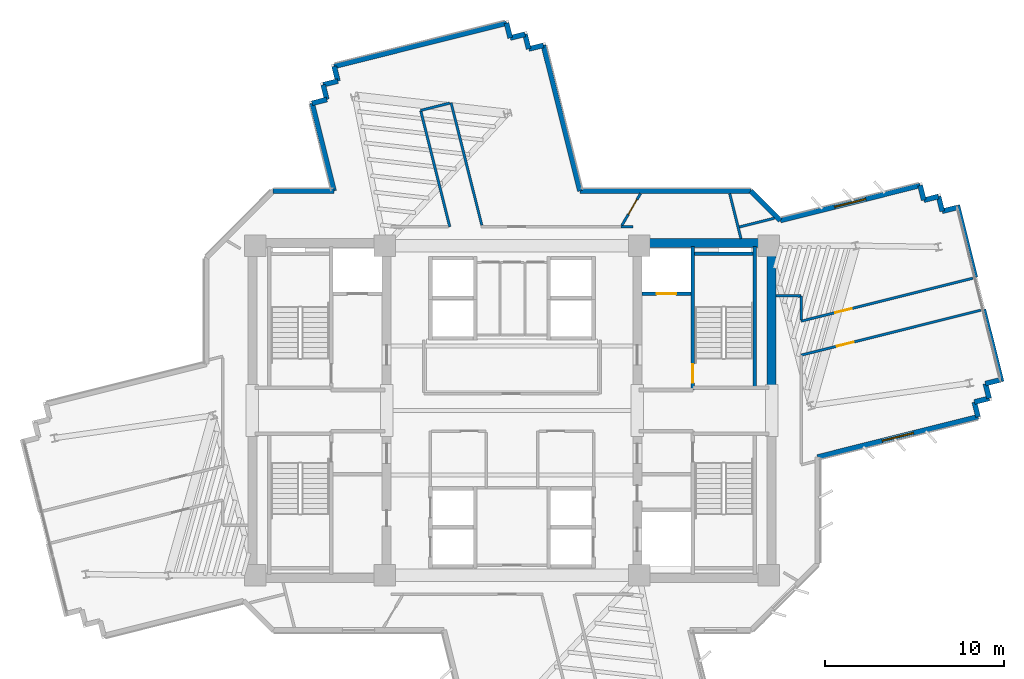
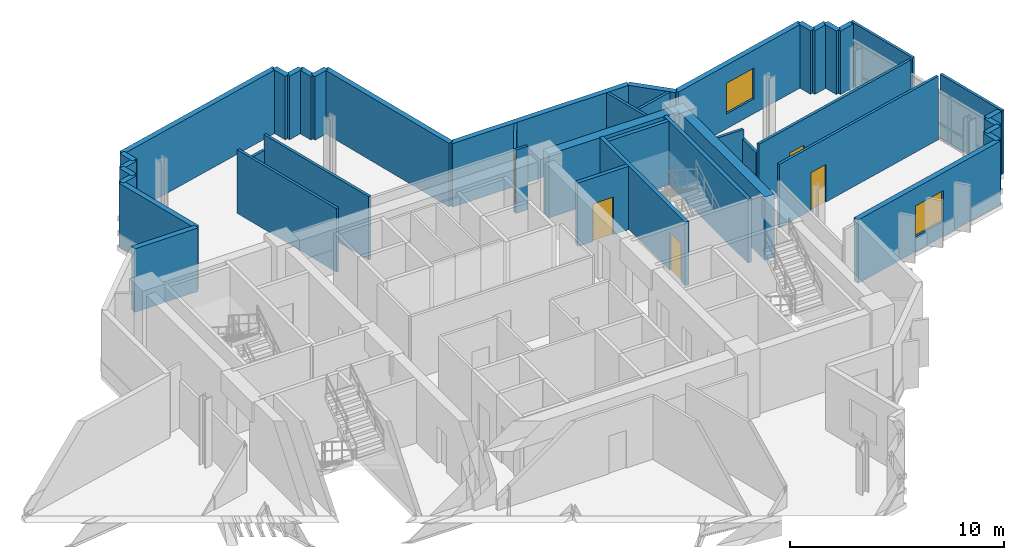
# One storey, part 9 of 13: 43 walls, 5 doors, 2 windows, 7 openings.
"""IFC4 building model written with IfcOpenShell, lengths in metres."""

from ifc_helpers import new_model, si_unit, direction, frame, frame_2d, origin, place, context, subcontext, project, spatial, rectangle, extrude, source, transform, mapped, material, layer, layer_set, type_object, element, fill, save


model = new_model("IFC4")

# Units and contexts
model_context = context("Model", 3, precision=1e-05, world=origin(), true_north=direction((0.0, 1.0)))
body_context = subcontext(model_context, "Body", "Model", "MODEL_VIEW")
ifc_project = project(units=[si_unit("LENGTHUNIT", "METRE"), si_unit("AREAUNIT", "SQUARE_METRE"), si_unit("VOLUMEUNIT", "CUBIC_METRE"), si_unit("PLANEANGLEUNIT", "RADIAN"), si_unit("MASSUNIT", "GRAM", prefix="KILO")], contexts=[model_context])

# Site, building, storey
site_placement = place(None, origin())
site = spatial("IfcSite", under=ifc_project, at=site_placement, CompositionType="ELEMENT")
building_placement = place(site_placement, origin())
building = spatial("IfcBuilding", under=site, at=building_placement, Name="Zahravan Cultural Tower", CompositionType="ELEMENT")
storey_placement = place(building_placement, frame((0.0, 0.0, 182.39990234375)))
storey = spatial("IfcBuildingStorey", under=building, at=storey_placement, Name="L42", CompositionType="ELEMENT", Elevation=182.39990234375)

# Wall, opening, window
ifc_material_1 = material(Name="Precast concrete C40/50", Category="concrete")
ifc_layer_1 = layer(ifc_material_1, 0.280029296875)
ifc_layer_set_1 = layer_set([ifc_layer_1], Name="Precast concrete C40/50")
wall_type_1 = type_object("IfcWallType", Name="EW-TC-280", PredefinedType="SOLIDWALL", material=ifc_layer_set_1)
wall_1_placement = place(storey_placement, frame((50.98388671875, 37.6181640625, 0.0), z_axis=(0.0, 0.0, 1.0), x_axis=(0.970040669564, 0.242942584557, 0.0)))
wall_1 = element("IfcWall", 1, at=wall_1_placement, inside=storey, type_object=wall_type_1, Name="L42 Exterior Masonry Frame Wall 01", PredefinedType="SOLIDWALL", context=body_context, shape_type="SweptSolid", body=[
    extrude(rectangle(XDim=8.04541015625, YDim=0.280029296875, at=frame_2d((4.022705078125, 0.0))), origin(), (0.0, 0.0, 1.0), 3.6201171875),
])
opening_1_placement = place(wall_1_placement, frame((3.123046875, 0.0, 0.85009765625)))
opening_1 = element("IfcOpeningElement", 2, at=opening_1_placement, cuts=wall_1, Name="Opening WN-02", PredefinedType="OPENING", context=body_context, shape_type="SweptSolid", body=[
    extrude(rectangle(XDim=1.800048828125, YDim=1.75, at=frame_2d((0.89990234375, 0.875))), frame((0.0, 0.14990234375, 0.0), z_axis=(0.0, -1.0, 0.0), x_axis=(1.0, 0.0, 0.0)), (0.0, 0.0, 1.0), 0.300048828125),
])
ifc_material_2 = material(Name="Low-E solar-control double glazing", Category="glass")
window_type = type_object("IfcWindowType", Name="WN-REC-1800X1750", PartitioningType="DOUBLE_PANEL_VERTICAL", PredefinedType="WINDOW", material=ifc_material_2)
shared_shape_1 = source(origin(), body_context, "Body", "SweptSolid", [
    extrude(rectangle(XDim=1.800048828125, YDim=1.75, at=frame_2d((0.89990234375, 0.875))), frame((0.0, 0.030029296875, 0.0), z_axis=(0.0, -1.0, 0.0), x_axis=(1.0, 0.0, 0.0)), (0.0, 0.0, 1.0), 0.06005859375),
])
window_1_placement = place(opening_1_placement, origin())
window_1 = element("IfcWindow", 3, at=window_1_placement, inside=storey, type_object=window_type, Name="L42 Recessed Solar Window 01", OverallHeight=1.75, OverallWidth=1.800048828125, PartitioningType="DOUBLE_PANEL_VERTICAL", PredefinedType="WINDOW", context=body_context, shape_type="MappedRepresentation", body=[
    mapped(shared_shape_1, transform((0.0, 0.0, 0.0), x_axis=(1.0, 0.0, 0.0), y_axis=(0.0, 1.0, 0.0), z_axis=(0.0, 0.0, 1.0), scale=1.0)),
])
fill(opening_1, window_1)

wall_2_placement = place(storey_placement, frame((62.024169921875, 26.65185546875, 0.0), z_axis=(0.0, 0.0, 1.0), x_axis=(-0.970044513566, -0.242927235402, 0.0)))
wall_2 = element("IfcWall", 4, at=wall_2_placement, inside=storey, type_object=wall_type_1, Name="L42 Exterior Masonry Frame Wall 10", PredefinedType="SOLIDWALL", context=body_context, shape_type="SweptSolid", body=[
    extrude(rectangle(XDim=9.240966796875, YDim=0.280029296875, at=frame_2d((4.62060546875, 0.0))), origin(), (0.0, 0.0, 1.0), 3.6201171875),
])
opening_2_placement = place(wall_2_placement, frame((3.720947265625, 0.0, 0.85009765625)))
opening_2 = element("IfcOpeningElement", 5, at=opening_2_placement, cuts=wall_2, Name="Opening WN-02", PredefinedType="OPENING", context=body_context, shape_type="SweptSolid", body=[
    extrude(rectangle(XDim=1.800048828125, YDim=1.75, at=frame_2d((0.89990234375, 0.875))), frame((0.0, 0.14990234375, 0.0), z_axis=(0.0, -1.0, 0.0), x_axis=(1.0, 0.0, 0.0)), (0.0, 0.0, 1.0), 0.300048828125),
])
window_2_placement = place(opening_2_placement, origin())
window_2 = element("IfcWindow", 6, at=window_2_placement, inside=storey, type_object=window_type, Name="L42 Recessed Solar Window 02", OverallHeight=1.75, OverallWidth=1.800048828125, PartitioningType="DOUBLE_PANEL_VERTICAL", PredefinedType="WINDOW", context=body_context, shape_type="MappedRepresentation", body=[
    mapped(shared_shape_1, transform((0.0, 0.0, 0.0), x_axis=(1.0, 0.0, 0.0), y_axis=(0.0, 1.0, 0.0), z_axis=(0.0, 0.0, 1.0), scale=1.0)),
])
fill(opening_2, window_2)

# Wall, opening, door
ifc_material_3 = material(Name="Gypsum plasterboard partition")
ifc_layer_2 = layer(ifc_material_3, 0.139892578125)
ifc_layer_set_2 = layer_set([ifc_layer_2], Name="Gypsum plasterboard partition")
wall_type_2 = type_object("IfcWallType", Name="W-PART-140", PredefinedType="PARTITIONING", material=ifc_layer_set_2)
wall_3_placement = place(storey_placement, frame((42.1318359375, 37.3349609375, 0.0), z_axis=(0.0, 0.0, 1.0), x_axis=(0.505011455642, 0.863112640198, 0.0)))
wall_3 = element("IfcWall", 7, at=wall_3_placement, inside=storey, type_object=wall_type_2, Name="L42 Interior Wall 069", PredefinedType="PARTITIONING", context=body_context, shape_type="SweptSolid", body=[
    extrude(rectangle(XDim=2.062255859375, YDim=0.139892578125, at=frame_2d((1.03125, 0.0))), origin(), (0.0, 0.0, 1.0), 3.6201171875),
])
opening_3_placement = place(wall_3_placement, frame((0.722900390625, 0.0, 0.0)))
opening_3 = element("IfcOpeningElement", 8, at=opening_3_placement, cuts=wall_3, Name="Opening D-L42-24", PredefinedType="OPENING", context=body_context, shape_type="SweptSolid", body=[
    extrude(rectangle(XDim=0.949951171875, YDim=2.14990234375, at=frame_2d((0.47509765625, 1.074951171875))), frame((0.0, 0.079833984375, 0.0), z_axis=(0.0, -1.0, 0.0), x_axis=(1.0, 0.0, 0.0)), (0.0, 0.0, 1.0), 0.159912109375),
])
ifc_material_4 = material(Name="Anodised bronze-aluminium mullion", Category="aluminium")
door_type_1 = type_object("IfcDoorType", Name="DR-ROOM-950", OperationType="NOTDEFINED", PredefinedType="DOOR", material=ifc_material_4)
shared_shape_2 = source(origin(), body_context, "Body", "SweptSolid", [
    extrude(rectangle(XDim=0.949951171875, YDim=2.14990234375, at=frame_2d((0.47509765625, 1.074951171875))), frame((0.0, 0.02490234375, 0.0), z_axis=(0.0, -1.0, 0.0), x_axis=(1.0, 0.0, 0.0)), (0.0, 0.0, 1.0), 0.050048828125),
])
door_1_placement = place(opening_3_placement, origin())
door_1 = element("IfcDoor", 9, at=door_1_placement, inside=storey, type_object=door_type_1, Name="L42 Door D-L42-24", OperationType="SINGLE_SWING_LEFT", OverallHeight=2.14990234375, OverallWidth=0.949951171875, PredefinedType="DOOR", context=body_context, shape_type="MappedRepresentation", body=[
    mapped(shared_shape_2, transform((0.0, 0.0, 0.0), x_axis=(1.0, 0.0, 0.0), y_axis=(0.0, 1.0, 0.0), z_axis=(0.0, 0.0, 1.0), scale=1.0)),
])
fill(opening_3, door_1)

wall_4_placement = place(storey_placement, frame((61.72998046875, 34.39208984375, 0.0), z_axis=(0.0, 0.0, 1.0), x_axis=(-0.970043536382, -0.242931137411, 0.0)))
wall_4 = element("IfcWall", 10, at=wall_4_placement, inside=storey, type_object=wall_type_2, Name="L42 Interior Wall 081", PredefinedType="PARTITIONING", context=body_context, shape_type="SweptSolid", body=[
    extrude(rectangle(XDim=9.8759765625, YDim=0.139892578125, at=frame_2d((4.93798828125, 0.0))), origin(), (0.0, 0.0, 1.0), 3.6201171875),
])
opening_4_placement = place(wall_4_placement, frame((6.962158203125, 0.0, 0.0)))
opening_4 = element("IfcOpeningElement", 11, at=opening_4_placement, cuts=wall_4, Name="Opening D-L42-19", PredefinedType="OPENING", context=body_context, shape_type="SweptSolid", body=[
    extrude(rectangle(XDim=0.949951171875, YDim=2.14990234375, at=frame_2d((0.47509765625, 1.074951171875))), frame((0.0, 0.079833984375, 0.0), z_axis=(0.0, -1.0, 0.0), x_axis=(1.0, 0.0, 0.0)), (0.0, 0.0, 1.0), 0.159912109375),
])
door_2_placement = place(opening_4_placement, origin())
door_2 = element("IfcDoor", 12, at=door_2_placement, inside=storey, type_object=door_type_1, Name="L42 Door D-L42-19", OperationType="SINGLE_SWING_RIGHT", OverallHeight=2.14990234375, OverallWidth=0.949951171875, PredefinedType="DOOR", context=body_context, shape_type="MappedRepresentation", body=[
    mapped(shared_shape_2, transform((0.0, 0.0, 0.0), x_axis=(1.0, 0.0, 0.0), y_axis=(0.0, 1.0, 0.0), z_axis=(0.0, 0.0, 1.0), scale=1.0)),
])
fill(opening_4, door_2)

wall_5_placement = place(storey_placement, frame((52.14990234375, 30.09619140625, 0.0), z_axis=(0.0, 0.0, 1.0), x_axis=(0.970040994122, 0.242941288635, 0.0)))
wall_5 = element("IfcWall", 13, at=wall_5_placement, inside=storey, type_object=wall_type_2, Name="L42 Interior Wall 092", PredefinedType="PARTITIONING", context=body_context, shape_type="SweptSolid", body=[
    extrude(rectangle(XDim=10.336669921875, YDim=0.139892578125, at=frame_2d((5.16845703125, 0.0))), origin(), (0.0, 0.0, 1.0), 3.6201171875),
])
opening_5_placement = place(wall_5_placement, frame((2.065185546875, 0.0, 0.0)))
opening_5 = element("IfcOpeningElement", 14, at=opening_5_placement, cuts=wall_5, Name="Opening D-L42-18", PredefinedType="OPENING", context=body_context, shape_type="SweptSolid", body=[
    extrude(rectangle(XDim=0.949951171875, YDim=2.14990234375, at=frame_2d((0.47509765625, 1.074951171875))), frame((0.0, 0.079833984375, 0.0), z_axis=(0.0, -1.0, 0.0), x_axis=(1.0, 0.0, 0.0)), (0.0, 0.0, 1.0), 0.159912109375),
])
door_3_placement = place(opening_5_placement, origin())
door_3 = element("IfcDoor", 15, at=door_3_placement, inside=storey, type_object=door_type_1, Name="L42 Door D-L42-18", OperationType="SINGLE_SWING_LEFT", OverallHeight=2.14990234375, OverallWidth=0.949951171875, PredefinedType="DOOR", context=body_context, shape_type="MappedRepresentation", body=[
    mapped(shared_shape_2, transform((0.0, 0.0, 0.0), x_axis=(1.0, 0.0, 0.0), y_axis=(0.0, 1.0, 0.0), z_axis=(0.0, 0.0, 1.0), scale=1.0)),
])
fill(opening_5, door_3)

ifc_material_5 = material(Name="Concrete C45/55", Category="concrete")
ifc_layer_3 = layer(ifc_material_5, 0.199951171875)
ifc_layer_set_3 = layer_set([ifc_layer_3], Name="Concrete C45/55")
wall_type_3 = type_object("IfcWallType", Name="W-SHAFT-200", PredefinedType="SOLIDWALL", material=ifc_layer_set_3)
wall_6_placement = place(storey_placement, frame((46.10009765625, 28.14990234375, 0.0), z_axis=(0.0, 0.0, 1.0), x_axis=(0.0, 1.0, 0.0)))
wall_6 = element("IfcWall", 16, at=wall_6_placement, inside=storey, type_object=wall_type_3, Name="L42 Interior Wall 008", PredefinedType="SOLIDWALL", context=body_context, shape_type="SweptSolid", body=[
    extrude(rectangle(XDim=8.0, YDim=0.199951171875, at=frame_2d((4.0, 0.0))), origin(), (0.0, 0.0, 1.0), 3.6201171875),
])
opening_6_placement = place(wall_6_placement, frame((0.39990234375, 0.0, 0.0)))
opening_6 = element("IfcOpeningElement", 17, at=opening_6_placement, cuts=wall_6, Name="Opening D-L42-02", PredefinedType="OPENING", context=body_context, shape_type="SweptSolid", body=[
    extrude(rectangle(XDim=1.050048828125, YDim=2.14990234375, at=frame_2d((0.52490234375, 1.074951171875))), frame((0.0, 0.10986328125, 0.0), z_axis=(0.0, -1.0, 0.0), x_axis=(1.0, 0.0, 0.0)), (0.0, 0.0, 1.0), 0.219970703125),
])
ifc_material_6 = material(Name="Steel ASTM A572 Grade 50", Category="steel")
door_type_2 = type_object("IfcDoorType", Name="DR-STAIR-1050", OperationType="NOTDEFINED", PredefinedType="DOOR", material=ifc_material_6)
shared_shape_3 = source(origin(), body_context, "Body", "SweptSolid", [
    extrude(rectangle(XDim=1.050048828125, YDim=2.14990234375, at=frame_2d((0.52490234375, 1.074951171875))), frame((0.0, 0.02490234375, 0.0), z_axis=(0.0, -1.0, 0.0), x_axis=(1.0, 0.0, 0.0)), (0.0, 0.0, 1.0), 0.050048828125),
])
door_4_placement = place(opening_6_placement, origin())
door_4 = element("IfcDoor", 18, at=door_4_placement, inside=storey, type_object=door_type_2, Name="L42 Door D-L42-02", OperationType="SINGLE_SWING_LEFT", OverallHeight=2.14990234375, OverallWidth=1.050048828125, PredefinedType="DOOR", context=body_context, shape_type="MappedRepresentation", body=[
    mapped(shared_shape_3, transform((0.0, 0.0, 0.0), x_axis=(1.0, 0.0, 0.0), y_axis=(0.0, 1.0, 0.0), z_axis=(0.0, 0.0, 1.0), scale=1.0)),
])
fill(opening_6, door_4)

wall_7_placement = place(storey_placement, frame((43.25, 33.52001953125, 0.0), z_axis=(0.0, 0.0, 1.0), x_axis=(1.0, 0.0, 0.0)))
wall_7 = element("IfcWall", 19, at=wall_7_placement, inside=storey, type_object=wall_type_3, Name="L42 Interior Wall 022", PredefinedType="SOLIDWALL", context=body_context, shape_type="SweptSolid", body=[
    extrude(rectangle(XDim=2.75, YDim=0.199951171875, at=frame_2d((1.375, 0.0))), origin(), (0.0, 0.0, 1.0), 3.6201171875),
])
opening_7_placement = place(wall_7_placement, frame((0.820068359375, 0.0, 0.0)))
opening_7 = element("IfcOpeningElement", 20, at=opening_7_placement, cuts=wall_7, Name="Opening LD-L42-02", PredefinedType="OPENING", context=body_context, shape_type="SweptSolid", body=[
    extrude(rectangle(XDim=1.10009765625, YDim=2.14990234375, at=frame_2d((0.550048828125, 1.074951171875))), frame((0.0, 0.10986328125, 0.0), z_axis=(0.0, -1.0, 0.0), x_axis=(1.0, 0.0, 0.0)), (0.0, 0.0, 1.0), 0.219970703125),
])
door_type_3 = type_object("IfcDoorType", Name="DR-LIFT-1100", OperationType="DOUBLE_DOOR_SLIDING", PredefinedType="DOOR", material=ifc_material_6)
shared_shape_4 = source(origin(), body_context, "Body", "SweptSolid", [
    extrude(rectangle(XDim=1.10009765625, YDim=2.14990234375, at=frame_2d((0.550048828125, 1.074951171875))), frame((0.0, 0.02490234375, 0.0), z_axis=(0.0, -1.0, 0.0), x_axis=(1.0, 0.0, 0.0)), (0.0, 0.0, 1.0), 0.050048828125),
])
door_5_placement = place(opening_7_placement, origin())
door_5 = element("IfcDoor", 21, at=door_5_placement, inside=storey, type_object=door_type_3, Name="L42 Door LD-L42-02", OperationType="DOUBLE_DOOR_SLIDING", OverallHeight=2.14990234375, OverallWidth=1.10009765625, PredefinedType="DOOR", context=body_context, shape_type="MappedRepresentation", body=[
    mapped(shared_shape_4, transform((0.0, 0.0, 0.0), x_axis=(1.0, 0.0, 0.0), y_axis=(0.0, 1.0, 0.0), z_axis=(0.0, 0.0, 1.0), scale=1.0)),
])
fill(opening_7, door_5)

# Walls
ifc_material_7 = material(Name="Concrete C60/75", Category="concrete")
ifc_layer_4 = layer(ifc_material_7, 0.5)
ifc_layer_set_4 = layer_set([ifc_layer_4], Name="Concrete C60/75")
wall_type_4 = type_object("IfcWallType", Name="CW-SHEAR-500-C60", PredefinedType="SHEAR", material=ifc_layer_set_4)
shared_shape_5 = source(origin(), body_context, "Body", "SweptSolid", [
    extrude(rectangle(XDim=8.550048828125, YDim=0.5, at=frame_2d((4.27490234375, 0.0))), origin(), (0.0, 0.0, 1.0), 3.6201171875),
])
wall_8_placement = place(storey_placement, frame((50.5, 28.050048828125, 0.0), z_axis=(0.0, 0.0, 1.0), x_axis=(0.0, 1.0, 0.0)))
element("IfcWall", 22, at=wall_8_placement, inside=storey, type_object=wall_type_4, Name="L42 Core Shear Wall CW-E-EN-L42", PredefinedType="SHEAR", context=body_context, shape_type="MappedRepresentation", body=[
    mapped(shared_shape_5, transform((0.0, 0.0, 0.0), x_axis=(1.0, 0.0, 0.0), y_axis=(0.0, 1.0, 0.0), z_axis=(0.0, 0.0, 1.0), scale=1.0)),
])
shared_shape_6 = source(origin(), body_context, "Body", "SweptSolid", [
    extrude(rectangle(XDim=7.0, YDim=0.5, at=frame_2d((3.5, 0.0))), origin(), (0.0, 0.0, 1.0), 3.6201171875),
])
wall_9_placement = place(storey_placement, frame((43.25, 36.35009765625, 0.0), z_axis=(0.0, 0.0, 1.0), x_axis=(1.0, 0.0, 0.0)))
element("IfcWall", 23, at=wall_9_placement, inside=storey, type_object=wall_type_4, Name="L42 Core Shear Wall CW-E-N-L42", PredefinedType="SHEAR", context=body_context, shape_type="MappedRepresentation", body=[
    mapped(shared_shape_6, transform((0.0, 0.0, 0.0), x_axis=(1.0, 0.0, 0.0), y_axis=(0.0, 1.0, 0.0), z_axis=(0.0, 0.0, 1.0), scale=1.0)),
])
shared_shape_7 = source(origin(), body_context, "Body", "SweptSolid", [
    extrude(rectangle(XDim=0.85009765625, YDim=0.280029296875, at=frame_2d((0.425048828125, 0.0))), origin(), (0.0, 0.0, 1.0), 3.6201171875),
])
for number, where, z_axis, x_axis, name in (
    (24, (59.8193359375, 38.954833984375, 0.0), (0.0, 0.0, 1.0), (0.242941012307, -0.970041063326, 0.0), "L42 Exterior Masonry Frame Wall 04"),
    (25, (62.642333984375, 27.682861328125, 0.0), (0.0, 0.0, 1.0), (-0.970041063326, -0.242941012307, 0.0), "L42 Exterior Masonry Frame Wall 08"),
    (26, (24.836181640625, 44.162109375, 0.0), (0.0, 0.0, 1.0), (0.970108704339, 0.242670768255, 0.0), "L42 Exterior Masonry Frame Wall 41"),
    (27, (25.660888671875, 44.368408203125, 0.0), (0.0, 0.0, 1.0), (-0.242941012307, 0.970041063326, 0.0), "L42 Exterior Masonry Frame Wall 42"),
    (28, (35.901611328125, 47.8095703125, 0.0), (0.0, 0.0, 1.0), (0.970041063326, 0.242941012307, 0.0), "L42 Exterior Masonry Frame Wall 47"),
    (29, (36.726318359375, 48.01611328125, 0.0), (0.0, 0.0, 1.0), (0.242670768255, -0.970108704339, 0.0), "L42 Exterior Masonry Frame Wall 48"),
):
    element("IfcWall", number, at=place(storey_placement, frame(where, z_axis=z_axis, x_axis=x_axis)), inside=storey, type_object=wall_type_1, Name=name, PredefinedType="SOLIDWALL", context=body_context, shape_type="MappedRepresentation", body=[
        mapped(shared_shape_7, transform((0.0, 0.0, 0.0), x_axis=(1.0, 0.0, 0.0), y_axis=(0.0, 1.0, 0.0), z_axis=(0.0, 0.0, 1.0), scale=1.0)),
    ])
shared_shape_8 = source(origin(), body_context, "Body", "SweptSolid", [
    extrude(rectangle(XDim=0.849853515625, YDim=0.280029296875, at=frame_2d((0.4248046875, 0.0))), origin(), (0.0, 0.0, 1.0), 3.6201171875),
])
for number, where, z_axis, x_axis, name in (
    (30, (58.788330078125, 39.57275390625, 0.0), (0.0, 0.0, 1.0), (0.243008704507, -0.970024107708, 0.0), "L42 Exterior Masonry Frame Wall 02"),
    (31, (58.994873046875, 38.748291015625, 0.0), (0.0, 0.0, 1.0), (0.970024107708, 0.243008704507, 0.0), "L42 Exterior Masonry Frame Wall 03"),
    (32, (60.02587890625, 38.130126953125, 0.0), (0.0, 0.0, 1.0), (0.970024107708, 0.243008704507, 0.0), "L42 Exterior Masonry Frame Wall 05"),
    (33, (63.26025390625, 28.7138671875, 0.0), (0.0, 0.0, 1.0), (-0.970024107708, -0.243008704507, 0.0), "L42 Exterior Masonry Frame Wall 06"),
    (34, (62.435791015625, 28.50732421875, 0.0), (0.0, 0.0, 1.0), (0.243008704507, -0.970024107708, 0.0), "L42 Exterior Masonry Frame Wall 07"),
    (35, (61.817626953125, 27.476318359375, 0.0), (0.0, 0.0, 1.0), (0.243008704507, -0.970024107708, 0.0), "L42 Exterior Masonry Frame Wall 09"),
    (36, (25.454345703125, 45.193115234375, 0.0), (0.0, 0.0, 1.0), (0.970024107708, 0.243008704507, 0.0), "L42 Exterior Masonry Frame Wall 43"),
    (37, (26.27880859375, 45.399658203125, 0.0), (0.0, 0.0, 1.0), (-0.243008704507, 0.970024107708, 0.0), "L42 Exterior Masonry Frame Wall 44"),
    (38, (35.695068359375, 48.634033203125, 0.0), (0.0, 0.0, 1.0), (0.243008704507, -0.970024107708, 0.0), "L42 Exterior Masonry Frame Wall 46"),
    (39, (36.9326171875, 47.19140625, 0.0), (0.0, 0.0, 1.0), (0.970024107708, 0.243008704507, 0.0), "L42 Exterior Masonry Frame Wall 49"),
):
    element("IfcWall", number, at=place(storey_placement, frame(where, z_axis=z_axis, x_axis=x_axis)), inside=storey, type_object=wall_type_1, Name=name, PredefinedType="SOLIDWALL", context=body_context, shape_type="MappedRepresentation", body=[
        mapped(shared_shape_8, transform((0.0, 0.0, 0.0), x_axis=(1.0, 0.0, 0.0), y_axis=(0.0, 1.0, 0.0), z_axis=(0.0, 0.0, 1.0), scale=1.0)),
    ])
shared_shape_9 = source(origin(), body_context, "Body", "SweptSolid", [
    extrude(rectangle(XDim=9.919921875, YDim=0.280029296875, at=frame_2d((4.9599609375, 0.0))), origin(), (0.0, 0.0, 1.0), 3.6201171875),
])
wall_10_placement = place(storey_placement, frame((26.072265625, 46.22412109375, 0.0), z_axis=(0.0, 0.0, 1.0), x_axis=(0.97004252616, 0.242935171273, 0.0)))
element("IfcWall", 40, at=wall_10_placement, inside=storey, type_object=wall_type_1, Name="L42 Exterior Masonry Frame Wall 45", PredefinedType="SOLIDWALL", context=body_context, shape_type="MappedRepresentation", body=[
    mapped(shared_shape_9, transform((0.0, 0.0, 0.0), x_axis=(1.0, 0.0, 0.0), y_axis=(0.0, 1.0, 0.0), z_axis=(0.0, 0.0, 1.0), scale=1.0)),
])
shared_shape_10 = source(origin(), body_context, "Body", "SweptSolid", [
    extrude(rectangle(XDim=2.322021484375, YDim=0.280029296875, at=frame_2d((1.1611328125, 0.0))), origin(), (0.0, 0.0, 1.0), 3.6201171875),
])
wall_11_placement = place(storey_placement, frame((49.342041015625, 39.260009765625, 0.0), z_axis=(0.0, 0.0, 1.0), x_axis=(0.707106781187, -0.707106781187, 0.0)))
element("IfcWall", 41, at=wall_11_placement, inside=storey, type_object=wall_type_1, Name="L42 Exterior Masonry Frame Wall 52", PredefinedType="SOLIDWALL", context=body_context, shape_type="MappedRepresentation", body=[
    mapped(shared_shape_10, transform((0.0, 0.0, 0.0), x_axis=(1.0, 0.0, 0.0), y_axis=(0.0, 1.0, 0.0), z_axis=(0.0, 0.0, 1.0), scale=1.0)),
])
shared_shape_11 = source(origin(), body_context, "Body", "SweptSolid", [
    extrude(rectangle(XDim=3.406005859375, YDim=0.280029296875, at=frame_2d((1.703125, 0.0))), origin(), (0.0, 0.0, 1.0), 3.6201171875),
])
wall_12_placement = place(storey_placement, frame((22.657958984375, 39.260009765625, 0.0), z_axis=(0.0, 0.0, 1.0), x_axis=(1.0, 0.0, 0.0)))
element("IfcWall", 42, at=wall_12_placement, inside=storey, type_object=wall_type_1, Name="L42 Exterior Masonry Frame Wall 39", PredefinedType="SOLIDWALL", context=body_context, shape_type="MappedRepresentation", body=[
    mapped(shared_shape_11, transform((0.0, 0.0, 0.0), x_axis=(1.0, 0.0, 0.0), y_axis=(0.0, 1.0, 0.0), z_axis=(0.0, 0.0, 1.0), scale=1.0)),
])
shared_shape_12 = source(origin(), body_context, "Body", "SweptSolid", [
    extrude(rectangle(XDim=5.053466796875, YDim=0.280029296875, at=frame_2d((2.52685546875, 0.0))), origin(), (0.0, 0.0, 1.0), 3.6201171875),
])
wall_13_placement = place(storey_placement, frame((26.06396484375, 39.260009765625, 0.0), z_axis=(0.0, 0.0, 1.0), x_axis=(-0.242956192426, 0.97003726143, 0.0)))
element("IfcWall", 43, at=wall_13_placement, inside=storey, type_object=wall_type_1, Name="L42 Exterior Masonry Frame Wall 40", PredefinedType="SOLIDWALL", context=body_context, shape_type="MappedRepresentation", body=[
    mapped(shared_shape_12, transform((0.0, 0.0, 0.0), x_axis=(1.0, 0.0, 0.0), y_axis=(0.0, 1.0, 0.0), z_axis=(0.0, 0.0, 1.0), scale=1.0)),
])
shared_shape_13 = source(origin(), body_context, "Body", "SweptSolid", [
    extrude(rectangle(XDim=8.38916015625, YDim=0.280029296875, at=frame_2d((4.194580078125, 0.0))), origin(), (0.0, 0.0, 1.0), 3.6201171875),
])
wall_14_placement = place(storey_placement, frame((37.757080078125, 47.39794921875, 0.0), z_axis=(0.0, 0.0, 1.0), x_axis=(0.242939601766, -0.970041416587, 0.0)))
element("IfcWall", 44, at=wall_14_placement, inside=storey, type_object=wall_type_1, Name="L42 Exterior Masonry Frame Wall 50", PredefinedType="SOLIDWALL", context=body_context, shape_type="MappedRepresentation", body=[
    mapped(shared_shape_13, transform((0.0, 0.0, 0.0), x_axis=(1.0, 0.0, 0.0), y_axis=(0.0, 1.0, 0.0), z_axis=(0.0, 0.0, 1.0), scale=1.0)),
])
shared_shape_14 = source(origin(), body_context, "Body", "SweptSolid", [
    extrude(rectangle(XDim=9.546875, YDim=0.280029296875, at=frame_2d((4.7734375, 0.0))), origin(), (0.0, 0.0, 1.0), 3.6201171875),
])
wall_15_placement = place(storey_placement, frame((39.795166015625, 39.260009765625, 0.0), z_axis=(0.0, 0.0, 1.0), x_axis=(1.0, 0.0, 0.0)))
element("IfcWall", 45, at=wall_15_placement, inside=storey, type_object=wall_type_1, Name="L42 Exterior Masonry Frame Wall 51", PredefinedType="SOLIDWALL", context=body_context, shape_type="MappedRepresentation", body=[
    mapped(shared_shape_14, transform((0.0, 0.0, 0.0), x_axis=(1.0, 0.0, 0.0), y_axis=(0.0, 1.0, 0.0), z_axis=(0.0, 0.0, 1.0), scale=1.0)),
])
shared_shape_15 = source(origin(), body_context, "Body", "SweptSolid", [
    extrude(rectangle(XDim=7.869873046875, YDim=0.199951171875, at=frame_2d((3.93505859375, 0.0))), origin(), (0.0, 0.0, 1.0), 3.6201171875),
])
wall_16_placement = place(storey_placement, frame((49.550048828125, 28.280029296875, 0.0), z_axis=(0.0, 0.0, 1.0), x_axis=(0.0, 1.0, 0.0)))
element("IfcWall", 46, at=wall_16_placement, inside=storey, type_object=wall_type_3, Name="L42 Interior Wall 004", PredefinedType="SOLIDWALL", context=body_context, shape_type="MappedRepresentation", body=[
    mapped(shared_shape_15, transform((0.0, 0.0, 0.0), x_axis=(1.0, 0.0, 0.0), y_axis=(0.0, 1.0, 0.0), z_axis=(0.0, 0.0, 1.0), scale=1.0)),
])
shared_shape_16 = source(origin(), body_context, "Body", "SweptSolid", [
    extrude(rectangle(XDim=3.25, YDim=0.199951171875, at=frame_2d((1.625, 0.0))), origin(), (0.0, 0.0, 1.0), 3.6201171875),
])
wall_17_placement = place(storey_placement, frame((46.199951171875, 35.75, 0.0), z_axis=(0.0, 0.0, 1.0), x_axis=(1.0, 0.0, 0.0)))
element("IfcWall", 47, at=wall_17_placement, inside=storey, type_object=wall_type_3, Name="L42 Interior Wall 018", PredefinedType="SOLIDWALL", context=body_context, shape_type="MappedRepresentation", body=[
    mapped(shared_shape_16, transform((0.0, 0.0, 0.0), x_axis=(1.0, 0.0, 0.0), y_axis=(0.0, 1.0, 0.0), z_axis=(0.0, 0.0, 1.0), scale=1.0)),
])
shared_shape_17 = source(origin(), body_context, "Body", "SweptSolid", [
    extrude(rectangle(XDim=4.16015625, YDim=0.139892578125, at=frame_2d((2.080078125, 0.0))), origin(), (0.0, 0.0, 1.0), 3.6201171875),
])
for number, where, z_axis, x_axis, name in (
    (48, (60.9375, 38.482421875, 0.0), (0.0, 0.0, 1.0), (0.242963670411, -0.970035388458, 0.0), "L42 Interior Wall 080"),
    (49, (62.395263671875, 32.662109375, 0.0), (0.0, 0.0, 1.0), (0.242963670411, -0.970035388458, 0.0), "L42 Interior Wall 089"),
):
    element("IfcWall", number, at=place(storey_placement, frame(where, z_axis=z_axis, x_axis=x_axis)), inside=storey, type_object=wall_type_2, Name=name, PredefinedType="PARTITIONING", context=body_context, shape_type="MappedRepresentation", body=[
        mapped(shared_shape_17, transform((0.0, 0.0, 0.0), x_axis=(1.0, 0.0, 0.0), y_axis=(0.0, 1.0, 0.0), z_axis=(0.0, 0.0, 1.0), scale=1.0)),
    ])
shared_shape_18 = source(origin(), body_context, "Body", "SweptSolid", [
    extrude(rectangle(XDim=1.39404296875, YDim=0.139892578125, at=frame_2d((0.697021484375, 0.0))), origin(), (0.0, 0.0, 1.0), 3.6201171875),
])
wall_18_placement = place(storey_placement, frame((52.14892578125, 33.39892578125, 0.0), z_axis=(0.0, 0.0, 1.0), x_axis=(-0.999999754632, 0.000700525222, 0.0)))
element("IfcWall", 50, at=wall_18_placement, inside=storey, type_object=wall_type_2, Name="L42 Interior Wall 083", PredefinedType="PARTITIONING", context=body_context, shape_type="MappedRepresentation", body=[
    mapped(shared_shape_18, transform((0.0, 0.0, 0.0), x_axis=(1.0, 0.0, 0.0), y_axis=(0.0, 1.0, 0.0), z_axis=(0.0, 0.0, 1.0), scale=1.0)),
])
shared_shape_19 = source(origin(), body_context, "Body", "SweptSolid", [
    extrude(rectangle(XDim=0.65966796875, YDim=0.139892578125, at=frame_2d((0.329833984375, 0.0))), origin(), (0.0, 0.0, 1.0), 3.6201171875),
])
wall_19_placement = place(storey_placement, frame((42.74755859375, 37.25927734375, 0.0), z_axis=(0.0, 0.0, 1.0), x_axis=(-0.99999938363, 0.001110287991, 0.0)))
element("IfcWall", 51, at=wall_19_placement, inside=storey, type_object=wall_type_2, Name="L42 Interior Wall 068", PredefinedType="PARTITIONING", context=body_context, shape_type="MappedRepresentation", body=[
    mapped(shared_shape_19, transform((0.0, 0.0, 0.0), x_axis=(1.0, 0.0, 0.0), y_axis=(0.0, 1.0, 0.0), z_axis=(0.0, 0.0, 1.0), scale=1.0)),
])
shared_shape_20 = source(origin(), body_context, "Body", "SweptSolid", [
    extrude(rectangle(XDim=2.587646484375, YDim=0.139892578125, at=frame_2d((1.2939453125, 0.0))), origin(), (0.0, 0.0, 1.0), 3.6201171875),
])
wall_20_placement = place(storey_placement, frame((48.156982421875, 39.114990234375, 0.0), z_axis=(0.0, 0.0, 1.0), x_axis=(0.242957412811, -0.97003695577, 0.0)))
element("IfcWall", 52, at=wall_20_placement, inside=storey, type_object=wall_type_2, Name="L42 Interior Wall 070", PredefinedType="PARTITIONING", context=body_context, shape_type="MappedRepresentation", body=[
    mapped(shared_shape_20, transform((0.0, 0.0, 0.0), x_axis=(1.0, 0.0, 0.0), y_axis=(0.0, 1.0, 0.0), z_axis=(0.0, 0.0, 1.0), scale=1.0)),
])
shared_shape_21 = source(origin(), body_context, "Body", "SweptSolid", [
    extrude(rectangle(XDim=2.014404296875, YDim=0.139892578125, at=frame_2d((1.00732421875, 0.0))), origin(), (0.0, 0.0, 1.0), 3.6201171875),
])
wall_21_placement = place(storey_placement, frame((48.70068359375, 37.252685546875, 0.0), z_axis=(0.0, 0.0, 1.0), x_axis=(0.970056889313, 0.242877811867, 0.0)))
element("IfcWall", 53, at=wall_21_placement, inside=storey, type_object=wall_type_2, Name="L42 Interior Wall 079", PredefinedType="PARTITIONING", context=body_context, shape_type="MappedRepresentation", body=[
    mapped(shared_shape_21, transform((0.0, 0.0, 0.0), x_axis=(1.0, 0.0, 0.0), y_axis=(0.0, 1.0, 0.0), z_axis=(0.0, 0.0, 1.0), scale=1.0)),
])
shared_shape_22 = source(origin(), body_context, "Body", "SweptSolid", [
    extrude(rectangle(XDim=1.32861328125, YDim=0.139892578125, at=frame_2d((0.664306640625, 0.0))), origin(), (0.0, 0.0, 1.0), 3.0791015625),
])
wall_22_placement = place(storey_placement, frame((52.14990234375, 32.0703125, 0.0), z_axis=(0.0, 0.0, 1.0), x_axis=(-0.00073502369, 0.99999972987, 0.0)))
element("IfcWall", 54, at=wall_22_placement, inside=storey, type_object=wall_type_2, Name="L42 Interior Wall 082", PredefinedType="PARTITIONING", context=body_context, shape_type="MappedRepresentation", body=[
    mapped(shared_shape_22, transform((0.0, 0.0, 0.0), x_axis=(1.0, 0.0, 0.0), y_axis=(0.0, 1.0, 0.0), z_axis=(0.0, 0.0, 1.0), scale=1.0)),
])
shared_shape_23 = source(origin(), body_context, "Body", "SweptSolid", [
    extrude(rectangle(XDim=7.04296875, YDim=0.139892578125, at=frame_2d((3.521484375, 0.0))), origin(), (0.0, 0.0, 1.0), 3.6201171875),
])
wall_23_placement = place(storey_placement, frame((34.3134765625, 37.3564453125, 0.0), z_axis=(0.0, 0.0, 1.0), x_axis=(-0.243587652837, 0.969878886968, 0.0)))
element("IfcWall", 55, at=wall_23_placement, inside=storey, type_object=wall_type_2, Name="L42 Interior Wall 098", PredefinedType="PARTITIONING", context=body_context, shape_type="MappedRepresentation", body=[
    mapped(shared_shape_23, transform((0.0, 0.0, 0.0), x_axis=(1.0, 0.0, 0.0), y_axis=(0.0, 1.0, 0.0), z_axis=(0.0, 0.0, 1.0), scale=1.0)),
])
shared_shape_24 = source(origin(), body_context, "Body", "SweptSolid", [
    extrude(rectangle(XDim=1.677734375, YDim=0.139892578125, at=frame_2d((0.8388671875, 0.0))), origin(), (0.0, 0.0, 1.0), 2.76220703125),
])
wall_24_placement = place(storey_placement, frame((32.525146484375, 44.1689453125, 0.0), z_axis=(0.0, 0.0, 1.0), x_axis=(-0.969876563393, -0.243596904294, 0.0)))
element("IfcWall", 56, at=wall_24_placement, inside=storey, type_object=wall_type_2, Name="L42 Interior Wall 099", PredefinedType="PARTITIONING", context=body_context, shape_type="MappedRepresentation", body=[
    mapped(shared_shape_24, transform((0.0, 0.0, 0.0), x_axis=(1.0, 0.0, 0.0), y_axis=(0.0, 1.0, 0.0), z_axis=(0.0, 0.0, 1.0), scale=1.0)),
])
shared_shape_25 = source(origin(), body_context, "Body", "SweptSolid", [
    extrude(rectangle(XDim=6.6806640625, YDim=0.139892578125, at=frame_2d((3.34033203125, 0.0))), origin(), (0.0, 0.0, 1.0), 3.6201171875),
])
wall_25_placement = place(storey_placement, frame((30.90283203125, 43.7412109375, 0.0), z_axis=(0.0, 0.0, 1.0), x_axis=(0.242544223675, -0.970140350445, 0.0)))
element("IfcWall", 57, at=wall_25_placement, inside=storey, type_object=wall_type_2, Name="L42 Interior Wall 100", PredefinedType="PARTITIONING", context=body_context, shape_type="MappedRepresentation", body=[
    mapped(shared_shape_25, transform((0.0, 0.0, 0.0), x_axis=(1.0, 0.0, 0.0), y_axis=(0.0, 1.0, 0.0), z_axis=(0.0, 0.0, 1.0), scale=1.0)),
])

save(model, "model.ifc")
